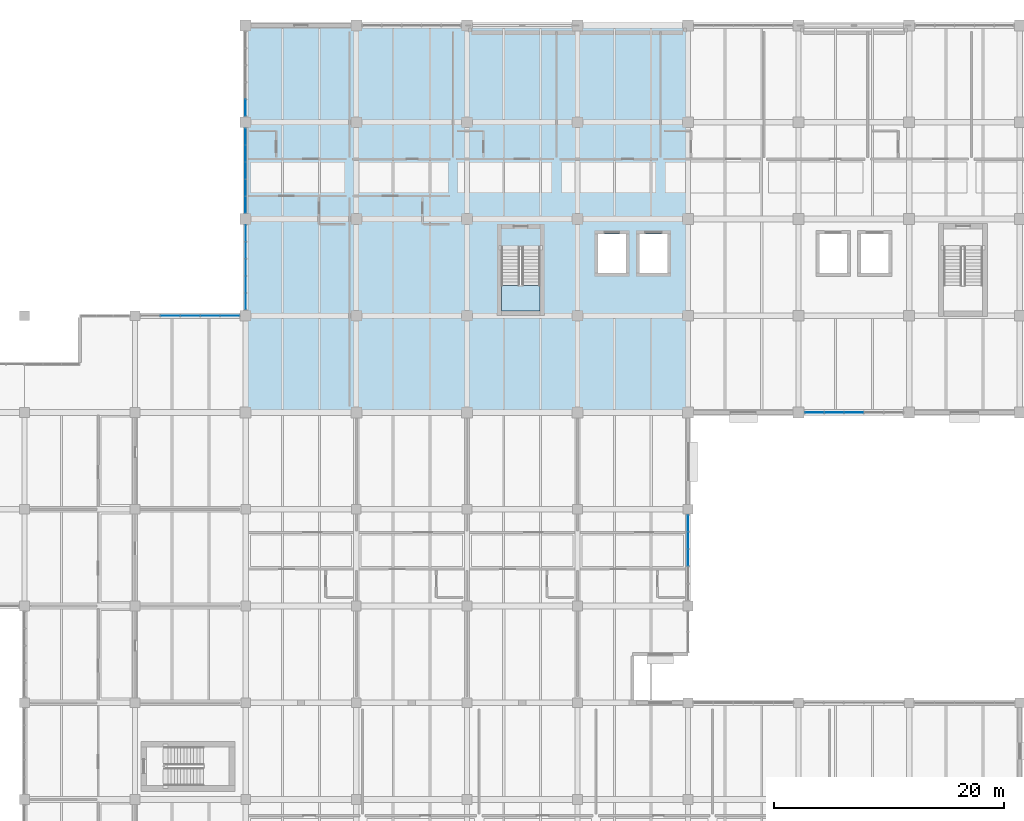
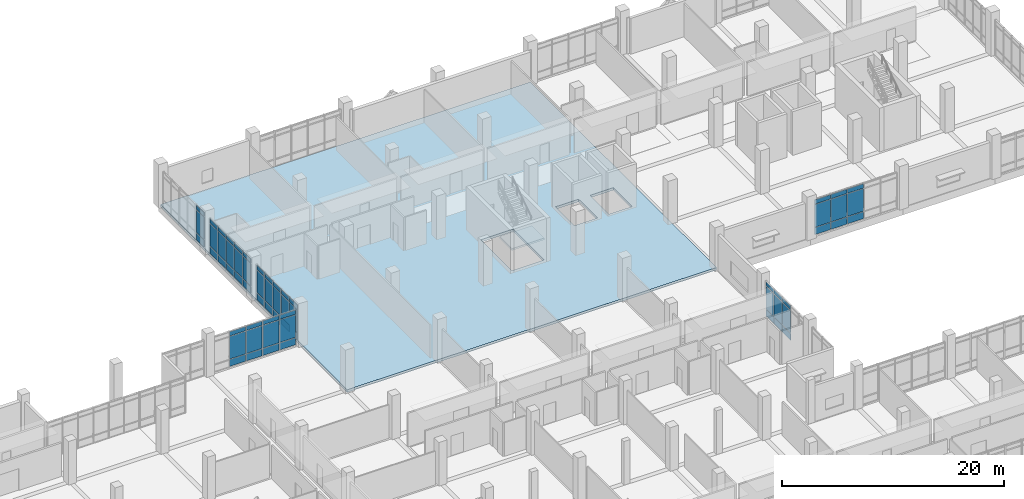
# One storey, part 105 of 152: 63 plates, 2 slabs, 7 elements without a shape of their own.
"""IFC4 building model written with IfcOpenShell, lengths in metres."""

from ifc_helpers import new_model, si_unit, direction, frame, origin, origin_2d, place, context, subcontext, project, spatial, polyline, rectangle, outline, extrude, material, layer, layer_set, type_object, element, aggregate, save


model = new_model("IFC4")

# Units and contexts
model_context = context("Model", 3, precision=1e-05, world=origin(), true_north=direction((0.0, 1.0)))
body_context = subcontext(model_context, "Body", "Model", "MODEL_VIEW")
ifc_project = project(units=[si_unit("LENGTHUNIT", "METRE"), si_unit("AREAUNIT", "SQUARE_METRE"), si_unit("VOLUMEUNIT", "CUBIC_METRE"), si_unit("PLANEANGLEUNIT", "RADIAN"), si_unit("MASSUNIT", "GRAM", prefix="KILO")], contexts=[model_context])

# Site, building, storey
site_placement = place(None, origin())
site = spatial("IfcSite", under=ifc_project, at=site_placement, CompositionType="ELEMENT")
building_placement = place(site_placement, origin())
building = spatial("IfcBuilding", under=site, at=building_placement, Name="Oolite Switchyard Hospital", CompositionType="ELEMENT")
storey_placement = place(building_placement, frame((0.0, 0.0, 5.10009765625)))
storey = spatial("IfcBuildingStorey", under=building, at=storey_placement, Name="L01", CompositionType="ELEMENT", Elevation=5.10009765625)

# Curtain wall, plates
ifc_material_1 = material(Name="Thermally broken aluminum frame with laminated impact glazing", Category="aluminium")
curtain_wall_type_1 = type_object("IfcCurtainWallType", Name="CW-UNIT-96X48", PredefinedType="USERDEFINED", material=ifc_material_1)
curtain_wall_1_placement = place(storey_placement, origin())
curtain_wall_1 = element("IfcCurtainWall", 1, at=curtain_wall_1_placement, inside=storey, type_object=curtain_wall_type_1, Name="L01 Unitised Curtain Wall 144", ObjectType="UNITISED", PredefinedType="USERDEFINED")
ifc_material_2 = material(Name="Insulated fluoropolymer-coated aluminum spandrel panel", Category="aluminium")
ifc_layer_1 = layer(ifc_material_2, 0.070068359375)
ifc_layer_set_1 = layer_set([ifc_layer_1], Name="CW-PNL-SPN70")
plate_type_1 = type_object("IfcPlateType", Name="CW-PNL-SPN70", PredefinedType="CURTAIN_PANEL", material=ifc_layer_set_1)
plate_1_placement = place(storey_placement, frame((187.199951171875, 100.800048828125, 0.06005859375), z_axis=(0.0, 0.0, 1.0), x_axis=(-1.0, 0.0, 0.0)))
plate_1 = element("IfcPlate", 2, at=plate_1_placement, type_object=plate_type_1, Name="CW-02 panel 3.1", PredefinedType="CURTAIN_PANEL", context=body_context, shape_type="SweptSolid", body=[
    extrude(rectangle(XDim=1.654052734375, YDim=0.070068359375, at=origin_2d()), origin(), (0.0, 0.0, 1.0), 0.760009765625),
])
plate_2_placement = place(storey_placement, frame((187.199951171875, 100.800048828125, 0.8798828125), z_axis=(0.0, 0.0, 1.0), x_axis=(-1.0, 0.0, 0.0)))
plate_2 = element("IfcPlate", 3, at=plate_2_placement, type_object=plate_type_1, Name="CW-02 panel 3.2", PredefinedType="CURTAIN_PANEL", context=body_context, shape_type="SweptSolid", body=[
    extrude(rectangle(XDim=1.654052734375, YDim=0.070068359375, at=origin_2d()), origin(), (0.0, 0.0, 1.0), 2.47998046875),
])
plate_3_placement = place(storey_placement, frame((187.199951171875, 100.800048828125, 3.419921875), z_axis=(0.0, 0.0, 1.0), x_axis=(-1.0, 0.0, 0.0)))
plate_3 = element("IfcPlate", 4, at=plate_3_placement, type_object=plate_type_1, Name="CW-02 panel 3.3", PredefinedType="CURTAIN_PANEL", context=body_context, shape_type="SweptSolid", body=[
    extrude(rectangle(XDim=1.654052734375, YDim=0.070068359375, at=origin_2d()), origin(), (0.0, 0.0, 1.0), 0.4599609375),
])
plate_4_placement = place(storey_placement, frame((185.47607421875, 100.800048828125, 0.06005859375), z_axis=(0.0, 0.0, 1.0), x_axis=(-1.0, 0.0, 0.0)))
plate_4 = element("IfcPlate", 5, at=plate_4_placement, type_object=plate_type_1, Name="CW-02 panel 4.1", PredefinedType="CURTAIN_PANEL", context=body_context, shape_type="SweptSolid", body=[
    extrude(rectangle(XDim=1.654052734375, YDim=0.070068359375, at=origin_2d()), origin(), (0.0, 0.0, 1.0), 0.760009765625),
])
plate_5_placement = place(storey_placement, frame((185.47607421875, 100.800048828125, 0.8798828125), z_axis=(0.0, 0.0, 1.0), x_axis=(-1.0, 0.0, 0.0)))
plate_5 = element("IfcPlate", 6, at=plate_5_placement, type_object=plate_type_1, Name="CW-02 panel 4.2", PredefinedType="CURTAIN_PANEL", context=body_context, shape_type="SweptSolid", body=[
    extrude(rectangle(XDim=1.654052734375, YDim=0.070068359375, at=origin_2d()), origin(), (0.0, 0.0, 1.0), 2.47998046875),
])
plate_6_placement = place(storey_placement, frame((185.47607421875, 100.800048828125, 3.419921875), z_axis=(0.0, 0.0, 1.0), x_axis=(-1.0, 0.0, 0.0)))
plate_6 = element("IfcPlate", 7, at=plate_6_placement, type_object=plate_type_1, Name="CW-02 panel 4.3", PredefinedType="CURTAIN_PANEL", context=body_context, shape_type="SweptSolid", body=[
    extrude(rectangle(XDim=1.654052734375, YDim=0.070068359375, at=origin_2d()), origin(), (0.0, 0.0, 1.0), 0.4599609375),
])
plate_7_placement = place(storey_placement, frame((183.76953125, 100.800048828125, 0.06005859375), z_axis=(0.0, 0.0, 1.0), x_axis=(-1.0, 0.0, 0.0)))
plate_7 = element("IfcPlate", 8, at=plate_7_placement, type_object=plate_type_1, Name="CW-02 panel 5.1", PredefinedType="CURTAIN_PANEL", context=body_context, shape_type="SweptSolid", body=[
    extrude(rectangle(XDim=1.618896484375, YDim=0.070068359375, at=origin_2d()), origin(), (0.0, 0.0, 1.0), 0.760009765625),
])
plate_8_placement = place(storey_placement, frame((183.76953125, 100.800048828125, 0.8798828125), z_axis=(0.0, 0.0, 1.0), x_axis=(-1.0, 0.0, 0.0)))
plate_8 = element("IfcPlate", 9, at=plate_8_placement, type_object=plate_type_1, Name="CW-02 panel 5.2", PredefinedType="CURTAIN_PANEL", context=body_context, shape_type="SweptSolid", body=[
    extrude(rectangle(XDim=1.618896484375, YDim=0.070068359375, at=origin_2d()), origin(), (0.0, 0.0, 1.0), 2.47998046875),
])
plate_9_placement = place(storey_placement, frame((183.76953125, 100.800048828125, 3.419921875), z_axis=(0.0, 0.0, 1.0), x_axis=(-1.0, 0.0, 0.0)))
plate_9 = element("IfcPlate", 10, at=plate_9_placement, type_object=plate_type_1, Name="CW-02 panel 5.3", PredefinedType="CURTAIN_PANEL", context=body_context, shape_type="SweptSolid", body=[
    extrude(rectangle(XDim=1.618896484375, YDim=0.070068359375, at=origin_2d()), origin(), (0.0, 0.0, 1.0), 0.4599609375),
])
aggregate(curtain_wall_1, [plate_1, plate_2, plate_3, plate_4, plate_5, plate_6, plate_7, plate_8, plate_9])

curtain_wall_type_2 = type_object("IfcCurtainWallType", Name="CW-UNIT-84X48", PredefinedType="USERDEFINED", material=ifc_material_1)
curtain_wall_2_placement = place(storey_placement, origin())
curtain_wall_2 = element("IfcCurtainWall", 11, at=curtain_wall_2_placement, inside=storey, type_object=curtain_wall_type_2, Name="L01 Unitised Curtain Wall 188", ObjectType="UNITISED", PredefinedType="USERDEFINED")
ifc_material_3 = material(Name="Laminated hurricane-impact insulated glazing unit", Category="glass")
ifc_layer_2 = layer(ifc_material_3, 0.031982421875)
ifc_layer_set_2 = layer_set([ifc_layer_2], Name="CW-PNL-VIS32")
plate_type_2 = type_object("IfcPlateType", Name="CW-PNL-VIS32", PredefinedType="CURTAIN_PANEL", material=ifc_layer_set_2)
plate_10_placement = place(storey_placement, frame((134.39990234375, 110.447021484375, 0.06005859375), z_axis=(0.0, 0.0, 1.0), x_axis=(0.0, 1.0, 0.0)))
plate_10 = element("IfcPlate", 12, at=plate_10_placement, type_object=plate_type_2, Name="CW-07 panel 1.1", PredefinedType="CURTAIN_PANEL", context=body_context, shape_type="SweptSolid", body=[
    extrude(rectangle(XDim=1.39404296875, YDim=0.031982421875, at=origin_2d()), origin(), (0.0, 0.0, 1.0), 0.760009765625),
])
plate_11_placement = place(storey_placement, frame((134.39990234375, 110.447021484375, 0.8798828125), z_axis=(0.0, 0.0, 1.0), x_axis=(0.0, 1.0, 0.0)))
plate_11 = element("IfcPlate", 13, at=plate_11_placement, type_object=plate_type_2, Name="CW-07 panel 1.2", PredefinedType="CURTAIN_PANEL", context=body_context, shape_type="SweptSolid", body=[
    extrude(rectangle(XDim=1.39404296875, YDim=0.031982421875, at=origin_2d()), origin(), (0.0, 0.0, 1.0), 2.47998046875),
])
plate_12_placement = place(storey_placement, frame((134.39990234375, 110.447021484375, 3.419921875), z_axis=(0.0, 0.0, 1.0), x_axis=(0.0, 1.0, 0.0)))
plate_12 = element("IfcPlate", 14, at=plate_12_placement, type_object=plate_type_2, Name="CW-07 panel 1.3", PredefinedType="CURTAIN_PANEL", context=body_context, shape_type="SweptSolid", body=[
    extrude(rectangle(XDim=1.39404296875, YDim=0.031982421875, at=origin_2d()), origin(), (0.0, 0.0, 1.0), 0.4599609375),
])
plate_13_placement = place(storey_placement, frame((134.39990234375, 111.916015625, 0.06005859375), z_axis=(0.0, 0.0, 1.0), x_axis=(0.0, 1.0, 0.0)))
plate_13 = element("IfcPlate", 15, at=plate_13_placement, type_object=plate_type_2, Name="CW-07 panel 2.1", PredefinedType="CURTAIN_PANEL", context=body_context, shape_type="SweptSolid", body=[
    extrude(rectangle(XDim=1.424072265625, YDim=0.031982421875, at=origin_2d()), origin(), (0.0, 0.0, 1.0), 0.760009765625),
])
plate_14_placement = place(storey_placement, frame((134.39990234375, 111.916015625, 0.8798828125), z_axis=(0.0, 0.0, 1.0), x_axis=(0.0, 1.0, 0.0)))
plate_14 = element("IfcPlate", 16, at=plate_14_placement, type_object=plate_type_2, Name="CW-07 panel 2.2", PredefinedType="CURTAIN_PANEL", context=body_context, shape_type="SweptSolid", body=[
    extrude(rectangle(XDim=1.424072265625, YDim=0.031982421875, at=origin_2d()), origin(), (0.0, 0.0, 1.0), 2.47998046875),
])
plate_15_placement = place(storey_placement, frame((134.39990234375, 111.916015625, 3.419921875), z_axis=(0.0, 0.0, 1.0), x_axis=(0.0, 1.0, 0.0)))
plate_15 = element("IfcPlate", 17, at=plate_15_placement, type_object=plate_type_2, Name="CW-07 panel 2.3", PredefinedType="CURTAIN_PANEL", context=body_context, shape_type="SweptSolid", body=[
    extrude(rectangle(XDim=1.424072265625, YDim=0.031982421875, at=origin_2d()), origin(), (0.0, 0.0, 1.0), 0.4599609375),
])
plate_16_placement = place(storey_placement, frame((134.39990234375, 113.39990234375, 0.06005859375), z_axis=(0.0, 0.0, 1.0), x_axis=(0.0, 1.0, 0.0)))
plate_16 = element("IfcPlate", 18, at=plate_16_placement, type_object=plate_type_2, Name="CW-07 panel 3.1", PredefinedType="CURTAIN_PANEL", context=body_context, shape_type="SweptSolid", body=[
    extrude(rectangle(XDim=1.424072265625, YDim=0.031982421875, at=origin_2d()), origin(), (0.0, 0.0, 1.0), 0.760009765625),
])
plate_17_placement = place(storey_placement, frame((134.39990234375, 113.39990234375, 0.8798828125), z_axis=(0.0, 0.0, 1.0), x_axis=(0.0, 1.0, 0.0)))
plate_17 = element("IfcPlate", 19, at=plate_17_placement, type_object=plate_type_2, Name="CW-07 panel 3.2", PredefinedType="CURTAIN_PANEL", context=body_context, shape_type="SweptSolid", body=[
    extrude(rectangle(XDim=1.424072265625, YDim=0.031982421875, at=origin_2d()), origin(), (0.0, 0.0, 1.0), 2.47998046875),
])
plate_18_placement = place(storey_placement, frame((134.39990234375, 113.39990234375, 3.419921875), z_axis=(0.0, 0.0, 1.0), x_axis=(0.0, 1.0, 0.0)))
plate_18 = element("IfcPlate", 20, at=plate_18_placement, type_object=plate_type_2, Name="CW-07 panel 3.3", PredefinedType="CURTAIN_PANEL", context=body_context, shape_type="SweptSolid", body=[
    extrude(rectangle(XDim=1.424072265625, YDim=0.031982421875, at=origin_2d()), origin(), (0.0, 0.0, 1.0), 0.4599609375),
])
plate_19_placement = place(storey_placement, frame((134.39990234375, 114.884033203125, 0.06005859375), z_axis=(0.0, 0.0, 1.0), x_axis=(0.0, 1.0, 0.0)))
plate_19 = element("IfcPlate", 21, at=plate_19_placement, type_object=plate_type_2, Name="CW-07 panel 4.1", PredefinedType="CURTAIN_PANEL", context=body_context, shape_type="SweptSolid", body=[
    extrude(rectangle(XDim=1.424072265625, YDim=0.031982421875, at=origin_2d()), origin(), (0.0, 0.0, 1.0), 0.760009765625),
])
plate_20_placement = place(storey_placement, frame((134.39990234375, 114.884033203125, 0.8798828125), z_axis=(0.0, 0.0, 1.0), x_axis=(0.0, 1.0, 0.0)))
plate_20 = element("IfcPlate", 22, at=plate_20_placement, type_object=plate_type_2, Name="CW-07 panel 4.2", PredefinedType="CURTAIN_PANEL", context=body_context, shape_type="SweptSolid", body=[
    extrude(rectangle(XDim=1.424072265625, YDim=0.031982421875, at=origin_2d()), origin(), (0.0, 0.0, 1.0), 2.47998046875),
])
plate_21_placement = place(storey_placement, frame((134.39990234375, 114.884033203125, 3.419921875), z_axis=(0.0, 0.0, 1.0), x_axis=(0.0, 1.0, 0.0)))
plate_21 = element("IfcPlate", 23, at=plate_21_placement, type_object=plate_type_2, Name="CW-07 panel 4.3", PredefinedType="CURTAIN_PANEL", context=body_context, shape_type="SweptSolid", body=[
    extrude(rectangle(XDim=1.424072265625, YDim=0.031982421875, at=origin_2d()), origin(), (0.0, 0.0, 1.0), 0.4599609375),
])
plate_22_placement = place(storey_placement, frame((134.39990234375, 116.35302734375, 0.06005859375), z_axis=(0.0, 0.0, 1.0), x_axis=(0.0, 1.0, 0.0)))
plate_22 = element("IfcPlate", 24, at=plate_22_placement, type_object=plate_type_2, Name="CW-07 panel 5.1", PredefinedType="CURTAIN_PANEL", context=body_context, shape_type="SweptSolid", body=[
    extrude(rectangle(XDim=1.39404296875, YDim=0.031982421875, at=origin_2d()), origin(), (0.0, 0.0, 1.0), 0.760009765625),
])
plate_23_placement = place(storey_placement, frame((134.39990234375, 116.35302734375, 0.8798828125), z_axis=(0.0, 0.0, 1.0), x_axis=(0.0, 1.0, 0.0)))
plate_23 = element("IfcPlate", 25, at=plate_23_placement, type_object=plate_type_2, Name="CW-07 panel 5.2", PredefinedType="CURTAIN_PANEL", context=body_context, shape_type="SweptSolid", body=[
    extrude(rectangle(XDim=1.39404296875, YDim=0.031982421875, at=origin_2d()), origin(), (0.0, 0.0, 1.0), 2.47998046875),
])
plate_24_placement = place(storey_placement, frame((134.39990234375, 116.35302734375, 3.419921875), z_axis=(0.0, 0.0, 1.0), x_axis=(0.0, 1.0, 0.0)))
plate_24 = element("IfcPlate", 26, at=plate_24_placement, type_object=plate_type_2, Name="CW-07 panel 5.3", PredefinedType="CURTAIN_PANEL", context=body_context, shape_type="SweptSolid", body=[
    extrude(rectangle(XDim=1.39404296875, YDim=0.031982421875, at=origin_2d()), origin(), (0.0, 0.0, 1.0), 0.4599609375),
])
aggregate(curtain_wall_2, [plate_10, plate_11, plate_12, plate_13, plate_14, plate_15, plate_16, plate_17, plate_18, plate_19, plate_20, plate_21, plate_22, plate_23, plate_24])

curtain_wall_3_placement = place(storey_placement, origin())
curtain_wall_3 = element("IfcCurtainWall", 27, at=curtain_wall_3_placement, inside=storey, type_object=curtain_wall_type_1, Name="L01 Unitised Curtain Wall 150", ObjectType="UNITISED", PredefinedType="USERDEFINED")
ifc_layer_3 = layer(ifc_material_3, 0.035888671875)
ifc_layer_set_3 = layer_set([ifc_layer_3], Name="CW-PNL-VIS36")
plate_type_3 = type_object("IfcPlateType", Name="CW-PNL-VIS36", PredefinedType="CURTAIN_PANEL", material=ifc_layer_set_3)
plate_25_placement = place(storey_placement, frame((127.841064453125, 109.199951171875, 0.06005859375), z_axis=(0.0, 0.0, 1.0), x_axis=(1.0, 0.0, 0.0)))
plate_25 = element("IfcPlate", 28, at=plate_25_placement, type_object=plate_type_3, Name="CW-02 panel 2.1", PredefinedType="CURTAIN_PANEL", context=body_context, shape_type="SweptSolid", body=[
    extrude(rectangle(XDim=1.6640625, YDim=0.035888671875, at=origin_2d()), origin(), (0.0, 0.0, 1.0), 0.760009765625),
])
plate_26_placement = place(storey_placement, frame((127.841064453125, 109.199951171875, 0.8798828125), z_axis=(0.0, 0.0, 1.0), x_axis=(1.0, 0.0, 0.0)))
plate_26 = element("IfcPlate", 29, at=plate_26_placement, type_object=plate_type_3, Name="CW-02 panel 2.2", PredefinedType="CURTAIN_PANEL", context=body_context, shape_type="SweptSolid", body=[
    extrude(rectangle(XDim=1.6640625, YDim=0.035888671875, at=origin_2d()), origin(), (0.0, 0.0, 1.0), 2.47998046875),
])
plate_27_placement = place(storey_placement, frame((127.841064453125, 109.199951171875, 3.419921875), z_axis=(0.0, 0.0, 1.0), x_axis=(1.0, 0.0, 0.0)))
plate_27 = element("IfcPlate", 30, at=plate_27_placement, type_object=plate_type_3, Name="CW-02 panel 2.3", PredefinedType="CURTAIN_PANEL", context=body_context, shape_type="SweptSolid", body=[
    extrude(rectangle(XDim=1.6640625, YDim=0.035888671875, at=origin_2d()), origin(), (0.0, 0.0, 1.0), 0.4599609375),
])
plate_28_placement = place(storey_placement, frame((129.574951171875, 109.199951171875, 0.06005859375), z_axis=(0.0, 0.0, 1.0), x_axis=(1.0, 0.0, 0.0)))
plate_28 = element("IfcPlate", 31, at=plate_28_placement, type_object=plate_type_3, Name="CW-02 panel 3.1", PredefinedType="CURTAIN_PANEL", context=body_context, shape_type="SweptSolid", body=[
    extrude(rectangle(XDim=1.6640625, YDim=0.035888671875, at=origin_2d()), origin(), (0.0, 0.0, 1.0), 0.760009765625),
])
plate_29_placement = place(storey_placement, frame((129.574951171875, 109.199951171875, 0.8798828125), z_axis=(0.0, 0.0, 1.0), x_axis=(1.0, 0.0, 0.0)))
plate_29 = element("IfcPlate", 32, at=plate_29_placement, type_object=plate_type_3, Name="CW-02 panel 3.2", PredefinedType="CURTAIN_PANEL", context=body_context, shape_type="SweptSolid", body=[
    extrude(rectangle(XDim=1.6640625, YDim=0.035888671875, at=origin_2d()), origin(), (0.0, 0.0, 1.0), 2.47998046875),
])
plate_30_placement = place(storey_placement, frame((129.574951171875, 109.199951171875, 3.419921875), z_axis=(0.0, 0.0, 1.0), x_axis=(1.0, 0.0, 0.0)))
plate_30 = element("IfcPlate", 33, at=plate_30_placement, type_object=plate_type_3, Name="CW-02 panel 3.3", PredefinedType="CURTAIN_PANEL", context=body_context, shape_type="SweptSolid", body=[
    extrude(rectangle(XDim=1.6640625, YDim=0.035888671875, at=origin_2d()), origin(), (0.0, 0.0, 1.0), 0.4599609375),
])
plate_31_placement = place(storey_placement, frame((131.30908203125, 109.199951171875, 0.06005859375), z_axis=(0.0, 0.0, 1.0), x_axis=(1.0, 0.0, 0.0)))
plate_31 = element("IfcPlate", 34, at=plate_31_placement, type_object=plate_type_3, Name="CW-02 panel 4.1", PredefinedType="CURTAIN_PANEL", context=body_context, shape_type="SweptSolid", body=[
    extrude(rectangle(XDim=1.6640625, YDim=0.035888671875, at=origin_2d()), origin(), (0.0, 0.0, 1.0), 0.760009765625),
])
plate_32_placement = place(storey_placement, frame((131.30908203125, 109.199951171875, 0.8798828125), z_axis=(0.0, 0.0, 1.0), x_axis=(1.0, 0.0, 0.0)))
plate_32 = element("IfcPlate", 35, at=plate_32_placement, type_object=plate_type_3, Name="CW-02 panel 4.2", PredefinedType="CURTAIN_PANEL", context=body_context, shape_type="SweptSolid", body=[
    extrude(rectangle(XDim=1.6640625, YDim=0.035888671875, at=origin_2d()), origin(), (0.0, 0.0, 1.0), 2.47998046875),
])
plate_33_placement = place(storey_placement, frame((131.30908203125, 109.199951171875, 3.419921875), z_axis=(0.0, 0.0, 1.0), x_axis=(1.0, 0.0, 0.0)))
plate_33 = element("IfcPlate", 36, at=plate_33_placement, type_object=plate_type_3, Name="CW-02 panel 4.3", PredefinedType="CURTAIN_PANEL", context=body_context, shape_type="SweptSolid", body=[
    extrude(rectangle(XDim=1.6640625, YDim=0.035888671875, at=origin_2d()), origin(), (0.0, 0.0, 1.0), 0.4599609375),
])
plate_34_placement = place(storey_placement, frame((133.025390625, 109.199951171875, 0.06005859375), z_axis=(0.0, 0.0, 1.0), x_axis=(1.0, 0.0, 0.0)))
plate_34 = element("IfcPlate", 37, at=plate_34_placement, type_object=plate_type_3, Name="CW-02 panel 5.1", PredefinedType="CURTAIN_PANEL", context=body_context, shape_type="SweptSolid", body=[
    extrude(rectangle(XDim=1.62890625, YDim=0.035888671875, at=origin_2d()), origin(), (0.0, 0.0, 1.0), 0.760009765625),
])
plate_35_placement = place(storey_placement, frame((133.025390625, 109.199951171875, 0.8798828125), z_axis=(0.0, 0.0, 1.0), x_axis=(1.0, 0.0, 0.0)))
plate_35 = element("IfcPlate", 38, at=plate_35_placement, type_object=plate_type_3, Name="CW-02 panel 5.2", PredefinedType="CURTAIN_PANEL", context=body_context, shape_type="SweptSolid", body=[
    extrude(rectangle(XDim=1.62890625, YDim=0.035888671875, at=origin_2d()), origin(), (0.0, 0.0, 1.0), 2.47998046875),
])
plate_36_placement = place(storey_placement, frame((133.025390625, 109.199951171875, 3.419921875), z_axis=(0.0, 0.0, 1.0), x_axis=(1.0, 0.0, 0.0)))
plate_36 = element("IfcPlate", 39, at=plate_36_placement, type_object=plate_type_3, Name="CW-02 panel 5.3", PredefinedType="CURTAIN_PANEL", context=body_context, shape_type="SweptSolid", body=[
    extrude(rectangle(XDim=1.62890625, YDim=0.035888671875, at=origin_2d()), origin(), (0.0, 0.0, 1.0), 0.4599609375),
])
aggregate(curtain_wall_3, [plate_25, plate_26, plate_27, plate_28, plate_29, plate_30, plate_31, plate_32, plate_33, plate_34, plate_35, plate_36])

curtain_wall_4_placement = place(storey_placement, origin())
curtain_wall_4 = element("IfcCurtainWall", 40, at=curtain_wall_4_placement, inside=storey, type_object=curtain_wall_type_2, Name="L01 Unitised Curtain Wall 189", ObjectType="UNITISED", PredefinedType="USERDEFINED")
plate_37_placement = place(storey_placement, frame((134.39990234375, 118.849609375, 0.07470703125), z_axis=(0.0, 0.0, 1.0), x_axis=(0.0, 1.0, 0.0)))
plate_37 = element("IfcPlate", 41, at=plate_37_placement, type_object=plate_type_3, Name="CW-07 panel 1.1", PredefinedType="CURTAIN_PANEL", context=body_context, shape_type="SweptSolid", body=[
    extrude(rectangle(XDim=1.37890625, YDim=0.035888671875, at=origin_2d()), origin(), (0.0, 0.0, 1.0), 0.737548828125),
])
plate_38_placement = place(storey_placement, frame((134.39990234375, 118.849609375, 0.88720703125), z_axis=(0.0, 0.0, 1.0), x_axis=(0.0, 1.0, 0.0)))
plate_38 = element("IfcPlate", 42, at=plate_38_placement, type_object=plate_type_3, Name="CW-07 panel 1.2", PredefinedType="CURTAIN_PANEL", context=body_context, shape_type="SweptSolid", body=[
    extrude(rectangle(XDim=1.37890625, YDim=0.035888671875, at=origin_2d()), origin(), (0.0, 0.0, 1.0), 2.465087890625),
])
plate_39_placement = place(storey_placement, frame((134.39990234375, 118.849609375, 3.427490234375), z_axis=(0.0, 0.0, 1.0), x_axis=(0.0, 1.0, 0.0)))
plate_39 = element("IfcPlate", 43, at=plate_39_placement, type_object=plate_type_3, Name="CW-07 panel 1.3", PredefinedType="CURTAIN_PANEL", context=body_context, shape_type="SweptSolid", body=[
    extrude(rectangle(XDim=1.37890625, YDim=0.035888671875, at=origin_2d()), origin(), (0.0, 0.0, 1.0), 0.4375),
])
plate_40_placement = place(storey_placement, frame((134.39990234375, 120.31591796875, 0.07470703125), z_axis=(0.0, 0.0, 1.0), x_axis=(0.0, 1.0, 0.0)))
plate_40 = element("IfcPlate", 44, at=plate_40_placement, type_object=plate_type_3, Name="CW-07 panel 2.1", PredefinedType="CURTAIN_PANEL", context=body_context, shape_type="SweptSolid", body=[
    extrude(rectangle(XDim=1.4140625, YDim=0.035888671875, at=origin_2d()), origin(), (0.0, 0.0, 1.0), 0.737548828125),
])
plate_41_placement = place(storey_placement, frame((134.39990234375, 120.31591796875, 0.88720703125), z_axis=(0.0, 0.0, 1.0), x_axis=(0.0, 1.0, 0.0)))
plate_41 = element("IfcPlate", 45, at=plate_41_placement, type_object=plate_type_3, Name="CW-07 panel 2.2", PredefinedType="CURTAIN_PANEL", context=body_context, shape_type="SweptSolid", body=[
    extrude(rectangle(XDim=1.4140625, YDim=0.035888671875, at=origin_2d()), origin(), (0.0, 0.0, 1.0), 2.465087890625),
])
plate_42_placement = place(storey_placement, frame((134.39990234375, 120.31591796875, 3.427490234375), z_axis=(0.0, 0.0, 1.0), x_axis=(0.0, 1.0, 0.0)))
plate_42 = element("IfcPlate", 46, at=plate_42_placement, type_object=plate_type_3, Name="CW-07 panel 2.3", PredefinedType="CURTAIN_PANEL", context=body_context, shape_type="SweptSolid", body=[
    extrude(rectangle(XDim=1.4140625, YDim=0.035888671875, at=origin_2d()), origin(), (0.0, 0.0, 1.0), 0.4375),
])
plate_43_placement = place(storey_placement, frame((134.39990234375, 121.800048828125, 0.07470703125), z_axis=(0.0, 0.0, 1.0), x_axis=(0.0, 1.0, 0.0)))
plate_43 = element("IfcPlate", 47, at=plate_43_placement, type_object=plate_type_3, Name="CW-07 panel 3.1", PredefinedType="CURTAIN_PANEL", context=body_context, shape_type="SweptSolid", body=[
    extrude(rectangle(XDim=1.4140625, YDim=0.035888671875, at=origin_2d()), origin(), (0.0, 0.0, 1.0), 0.737548828125),
])
plate_44_placement = place(storey_placement, frame((134.39990234375, 121.800048828125, 0.88720703125), z_axis=(0.0, 0.0, 1.0), x_axis=(0.0, 1.0, 0.0)))
plate_44 = element("IfcPlate", 48, at=plate_44_placement, type_object=plate_type_3, Name="CW-07 panel 3.2", PredefinedType="CURTAIN_PANEL", context=body_context, shape_type="SweptSolid", body=[
    extrude(rectangle(XDim=1.4140625, YDim=0.035888671875, at=origin_2d()), origin(), (0.0, 0.0, 1.0), 2.465087890625),
])
plate_45_placement = place(storey_placement, frame((134.39990234375, 121.800048828125, 3.427490234375), z_axis=(0.0, 0.0, 1.0), x_axis=(0.0, 1.0, 0.0)))
plate_45 = element("IfcPlate", 49, at=plate_45_placement, type_object=plate_type_3, Name="CW-07 panel 3.3", PredefinedType="CURTAIN_PANEL", context=body_context, shape_type="SweptSolid", body=[
    extrude(rectangle(XDim=1.4140625, YDim=0.035888671875, at=origin_2d()), origin(), (0.0, 0.0, 1.0), 0.4375),
])
plate_46_placement = place(storey_placement, frame((134.39990234375, 123.283935546875, 0.07470703125), z_axis=(0.0, 0.0, 1.0), x_axis=(0.0, 1.0, 0.0)))
plate_46 = element("IfcPlate", 50, at=plate_46_placement, type_object=plate_type_3, Name="CW-07 panel 4.1", PredefinedType="CURTAIN_PANEL", context=body_context, shape_type="SweptSolid", body=[
    extrude(rectangle(XDim=1.4140625, YDim=0.035888671875, at=origin_2d()), origin(), (0.0, 0.0, 1.0), 0.737548828125),
])
plate_47_placement = place(storey_placement, frame((134.39990234375, 123.283935546875, 0.88720703125), z_axis=(0.0, 0.0, 1.0), x_axis=(0.0, 1.0, 0.0)))
plate_47 = element("IfcPlate", 51, at=plate_47_placement, type_object=plate_type_3, Name="CW-07 panel 4.2", PredefinedType="CURTAIN_PANEL", context=body_context, shape_type="SweptSolid", body=[
    extrude(rectangle(XDim=1.4140625, YDim=0.035888671875, at=origin_2d()), origin(), (0.0, 0.0, 1.0), 2.465087890625),
])
plate_48_placement = place(storey_placement, frame((134.39990234375, 123.283935546875, 3.427490234375), z_axis=(0.0, 0.0, 1.0), x_axis=(0.0, 1.0, 0.0)))
plate_48 = element("IfcPlate", 52, at=plate_48_placement, type_object=plate_type_3, Name="CW-07 panel 4.3", PredefinedType="CURTAIN_PANEL", context=body_context, shape_type="SweptSolid", body=[
    extrude(rectangle(XDim=1.4140625, YDim=0.035888671875, at=origin_2d()), origin(), (0.0, 0.0, 1.0), 0.4375),
])
plate_49_placement = place(storey_placement, frame((134.39990234375, 124.75048828125, 0.07470703125), z_axis=(0.0, 0.0, 1.0), x_axis=(0.0, 1.0, 0.0)))
plate_49 = element("IfcPlate", 53, at=plate_49_placement, type_object=plate_type_3, Name="CW-07 panel 5.1", PredefinedType="CURTAIN_PANEL", context=body_context, shape_type="SweptSolid", body=[
    extrude(rectangle(XDim=1.37890625, YDim=0.035888671875, at=origin_2d()), origin(), (0.0, 0.0, 1.0), 0.737548828125),
])
plate_50_placement = place(storey_placement, frame((134.39990234375, 124.75048828125, 0.88720703125), z_axis=(0.0, 0.0, 1.0), x_axis=(0.0, 1.0, 0.0)))
plate_50 = element("IfcPlate", 54, at=plate_50_placement, type_object=plate_type_3, Name="CW-07 panel 5.2", PredefinedType="CURTAIN_PANEL", context=body_context, shape_type="SweptSolid", body=[
    extrude(rectangle(XDim=1.37890625, YDim=0.035888671875, at=origin_2d()), origin(), (0.0, 0.0, 1.0), 2.465087890625),
])
plate_51_placement = place(storey_placement, frame((134.39990234375, 124.75048828125, 3.427490234375), z_axis=(0.0, 0.0, 1.0), x_axis=(0.0, 1.0, 0.0)))
plate_51 = element("IfcPlate", 55, at=plate_51_placement, type_object=plate_type_3, Name="CW-07 panel 5.3", PredefinedType="CURTAIN_PANEL", context=body_context, shape_type="SweptSolid", body=[
    extrude(rectangle(XDim=1.37890625, YDim=0.035888671875, at=origin_2d()), origin(), (0.0, 0.0, 1.0), 0.4375),
])
aggregate(curtain_wall_4, [plate_37, plate_38, plate_39, plate_40, plate_41, plate_42, plate_43, plate_44, plate_45, plate_46, plate_47, plate_48, plate_49, plate_50, plate_51])

curtain_wall_5_placement = place(storey_placement, origin())
curtain_wall_5 = element("IfcCurtainWall", 56, at=curtain_wall_5_placement, inside=storey, type_object=curtain_wall_type_2, Name="L01 Unitised Curtain Wall 195", ObjectType="UNITISED", PredefinedType="USERDEFINED")
plate_52_placement = place(storey_placement, frame((172.800048828125, 91.1904296875, 0.07470703125), z_axis=(0.0, 0.0, 1.0), x_axis=(0.0, -1.0, 0.0)))
plate_52 = element("IfcPlate", 57, at=plate_52_placement, type_object=plate_type_3, Name="CW-07 panel 1.1", PredefinedType="CURTAIN_PANEL", context=body_context, shape_type="SweptSolid", body=[
    extrude(rectangle(XDim=1.39892578125, YDim=0.035888671875, at=origin_2d()), origin(), (0.0, 0.0, 1.0), 0.737548828125),
])
plate_53_placement = place(storey_placement, frame((172.800048828125, 91.1904296875, 0.88720703125), z_axis=(0.0, 0.0, 1.0), x_axis=(0.0, -1.0, 0.0)))
plate_53 = element("IfcPlate", 58, at=plate_53_placement, type_object=plate_type_3, Name="CW-07 panel 1.2", PredefinedType="CURTAIN_PANEL", context=body_context, shape_type="SweptSolid", body=[
    extrude(rectangle(XDim=1.39892578125, YDim=0.035888671875, at=origin_2d()), origin(), (0.0, 0.0, 1.0), 2.465087890625),
])
plate_54_placement = place(storey_placement, frame((172.800048828125, 91.1904296875, 3.427490234375), z_axis=(0.0, 0.0, 1.0), x_axis=(0.0, -1.0, 0.0)))
plate_54 = element("IfcPlate", 59, at=plate_54_placement, type_object=plate_type_3, Name="CW-07 panel 1.3", PredefinedType="CURTAIN_PANEL", context=body_context, shape_type="SweptSolid", body=[
    extrude(rectangle(XDim=1.39892578125, YDim=0.035888671875, at=origin_2d()), origin(), (0.0, 0.0, 1.0), 0.4375),
])
plate_55_placement = place(storey_placement, frame((172.800048828125, 89.7041015625, 0.07470703125), z_axis=(0.0, 0.0, 1.0), x_axis=(0.0, -1.0, 0.0)))
plate_55 = element("IfcPlate", 60, at=plate_55_placement, type_object=plate_type_3, Name="CW-07 panel 2.1", PredefinedType="CURTAIN_PANEL", context=body_context, shape_type="SweptSolid", body=[
    extrude(rectangle(XDim=1.43408203125, YDim=0.035888671875, at=origin_2d()), origin(), (0.0, 0.0, 1.0), 0.737548828125),
])
plate_56_placement = place(storey_placement, frame((172.800048828125, 89.7041015625, 0.88720703125), z_axis=(0.0, 0.0, 1.0), x_axis=(0.0, -1.0, 0.0)))
plate_56 = element("IfcPlate", 61, at=plate_56_placement, type_object=plate_type_3, Name="CW-07 panel 2.2", PredefinedType="CURTAIN_PANEL", context=body_context, shape_type="SweptSolid", body=[
    extrude(rectangle(XDim=1.43408203125, YDim=0.035888671875, at=origin_2d()), origin(), (0.0, 0.0, 1.0), 2.465087890625),
])
plate_57_placement = place(storey_placement, frame((172.800048828125, 89.7041015625, 3.427490234375), z_axis=(0.0, 0.0, 1.0), x_axis=(0.0, -1.0, 0.0)))
plate_57 = element("IfcPlate", 62, at=plate_57_placement, type_object=plate_type_3, Name="CW-07 panel 2.3", PredefinedType="CURTAIN_PANEL", context=body_context, shape_type="SweptSolid", body=[
    extrude(rectangle(XDim=1.43408203125, YDim=0.035888671875, at=origin_2d()), origin(), (0.0, 0.0, 1.0), 0.4375),
])
plate_58_placement = place(storey_placement, frame((172.800048828125, 88.199951171875, 0.07470703125), z_axis=(0.0, 0.0, 1.0), x_axis=(0.0, -1.0, 0.0)))
plate_58 = element("IfcPlate", 63, at=plate_58_placement, type_object=plate_type_3, Name="CW-07 panel 3.1", PredefinedType="CURTAIN_PANEL", context=body_context, shape_type="SweptSolid", body=[
    extrude(rectangle(XDim=1.43408203125, YDim=0.035888671875, at=origin_2d()), origin(), (0.0, 0.0, 1.0), 0.737548828125),
])
plate_59_placement = place(storey_placement, frame((172.800048828125, 88.199951171875, 0.88720703125), z_axis=(0.0, 0.0, 1.0), x_axis=(0.0, -1.0, 0.0)))
plate_59 = element("IfcPlate", 64, at=plate_59_placement, type_object=plate_type_3, Name="CW-07 panel 3.2", PredefinedType="CURTAIN_PANEL", context=body_context, shape_type="SweptSolid", body=[
    extrude(rectangle(XDim=1.43408203125, YDim=0.035888671875, at=origin_2d()), origin(), (0.0, 0.0, 1.0), 2.465087890625),
])
plate_60_placement = place(storey_placement, frame((172.800048828125, 88.199951171875, 3.427490234375), z_axis=(0.0, 0.0, 1.0), x_axis=(0.0, -1.0, 0.0)))
plate_60 = element("IfcPlate", 65, at=plate_60_placement, type_object=plate_type_3, Name="CW-07 panel 3.3", PredefinedType="CURTAIN_PANEL", context=body_context, shape_type="SweptSolid", body=[
    extrude(rectangle(XDim=1.43408203125, YDim=0.035888671875, at=origin_2d()), origin(), (0.0, 0.0, 1.0), 0.4375),
])
aggregate(curtain_wall_5, [plate_52, plate_53, plate_54, plate_55, plate_56, plate_57, plate_58, plate_59, plate_60])

curtain_wall_6_placement = place(storey_placement, origin())
curtain_wall_6 = element("IfcCurtainWall", 66, at=curtain_wall_6_placement, inside=storey, type_object=curtain_wall_type_2, Name="L01 Unitised Curtain Wall 190", ObjectType="UNITISED", PredefinedType="USERDEFINED")
ifc_layer_4 = layer(ifc_material_3, 0.0419921875)
ifc_layer_set_4 = layer_set([ifc_layer_4], Name="CW-PNL-VIS42")
plate_type_4 = type_object("IfcPlateType", Name="CW-PNL-VIS42", PredefinedType="CURTAIN_PANEL", material=ifc_layer_set_4)
plate_61_placement = place(storey_placement, frame((134.39990234375, 127.250732421875, 0.06005859375), z_axis=(0.0, 0.0, 1.0), x_axis=(0.0, 1.0, 0.0)))
plate_61 = element("IfcPlate", 67, at=plate_61_placement, type_object=plate_type_4, Name="CW-07 panel 1.1", PredefinedType="CURTAIN_PANEL", context=body_context, shape_type="SweptSolid", body=[
    extrude(rectangle(XDim=1.37158203125, YDim=0.0419921875, at=origin_2d()), origin(), (0.0, 0.0, 1.0), 0.760009765625),
])
plate_62_placement = place(storey_placement, frame((134.39990234375, 127.250732421875, 0.8798828125), z_axis=(0.0, 0.0, 1.0), x_axis=(0.0, 1.0, 0.0)))
plate_62 = element("IfcPlate", 68, at=plate_62_placement, type_object=plate_type_4, Name="CW-07 panel 1.2", PredefinedType="CURTAIN_PANEL", context=body_context, shape_type="SweptSolid", body=[
    extrude(rectangle(XDim=1.37158203125, YDim=0.0419921875, at=origin_2d()), origin(), (0.0, 0.0, 1.0), 2.47998046875),
])
plate_63_placement = place(storey_placement, frame((134.39990234375, 127.250732421875, 3.419921875), z_axis=(0.0, 0.0, 1.0), x_axis=(0.0, 1.0, 0.0)))
plate_63 = element("IfcPlate", 69, at=plate_63_placement, type_object=plate_type_4, Name="CW-07 panel 1.3", PredefinedType="CURTAIN_PANEL", context=body_context, shape_type="SweptSolid", body=[
    extrude(rectangle(XDim=1.37158203125, YDim=0.0419921875, at=origin_2d()), origin(), (0.0, 0.0, 1.0), 0.4599609375),
])
aggregate(curtain_wall_6, [plate_61, plate_62, plate_63])

# Slab
ifc_material_4 = material(Name="Concrete C40/50", Category="concrete")
ifc_layer_5 = layer(ifc_material_4, 0.27490234375)
ifc_layer_set_5 = layer_set([ifc_layer_5], Name="SLB-FLR-275")
slab_type_1 = type_object("IfcSlabType", Name="SLB-FLR-275", PredefinedType="FLOOR", material=ifc_layer_set_5)
slab_1_placement = place(storey_placement, frame((0.0, 0.0, -0.275146484375)))
element("IfcSlab", 70, at=slab_1_placement, inside=storey, type_object=slab_type_1, Name="L01 V5E Slab V5E1", PredefinedType="FLOOR", context=body_context, shape_type="SweptSolid", body=[
    extrude(outline(polyline([(134.39990234375, 100.800048828125), (172.800048828125, 100.800048828125), (172.800048828125, 134.39990234375), (134.39990234375, 134.39990234375), (134.39990234375, 100.800048828125)]), holes=[polyline([(156.60009765625, 115.18994140625), (156.60009765625, 109.60009765625), (159.9599609375, 109.60009765625), (159.9599609375, 115.18994140625), (156.60009765625, 115.18994140625)]), polyline([(165.0, 112.89990234375), (167.39990234375, 112.89990234375), (167.39990234375, 116.300048828125), (165.0, 116.300048828125), (165.0, 112.89990234375)]), polyline([(168.60009765625, 112.89990234375), (171.0, 112.89990234375), (171.0, 116.300048828125), (168.60009765625, 116.300048828125), (168.60009765625, 112.89990234375)])]), origin(), (0.0, 0.0, 1.0), 0.275146484375),
])

# Stair, slab
stair_type = type_object("IfcStairType", Name="STR-DL-156-R26", PredefinedType="HALF_TURN_STAIR", material=ifc_material_4)
stair_placement = place(storey_placement, origin())
stair = element("IfcStair", 71, at=stair_placement, inside=storey, type_object=stair_type, Name="L01 Exit Stair ST-03", PredefinedType="HALF_TURN_STAIR")
ifc_layer_6 = layer(ifc_material_4, 0.199951171875)
ifc_layer_set_6 = layer_set([ifc_layer_6], Name="SLB-LND-200")
slab_type_2 = type_object("IfcSlabType", Name="SLB-LND-200", PredefinedType="LANDING", material=ifc_layer_set_6)
slab_2_placement = place(storey_placement, frame((0.0, 0.0, 2.199951171875)))
slab_2 = element("IfcSlab", 72, at=slab_2_placement, type_object=slab_type_2, Name="ST-03 landing 1", PredefinedType="LANDING", context=body_context, shape_type="SweptSolid", body=[
    extrude(outline(polyline([(156.60009765625, 111.830078125), (156.60009765625, 109.60009765625), (159.9599609375, 109.60009765625), (159.9599609375, 111.830078125), (156.60009765625, 111.830078125)])), origin(), (0.0, 0.0, 1.0), 0.199951171875),
])
aggregate(stair, [slab_2])

save(model, "model.ifc")
